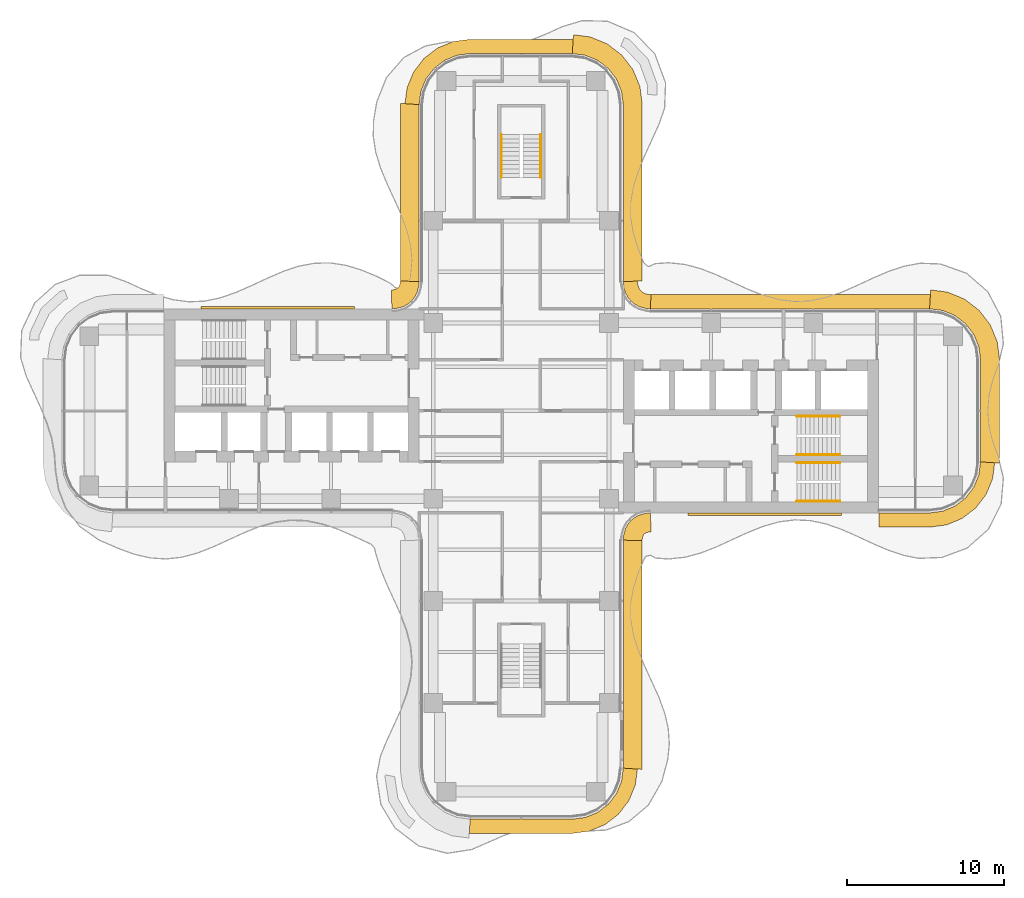
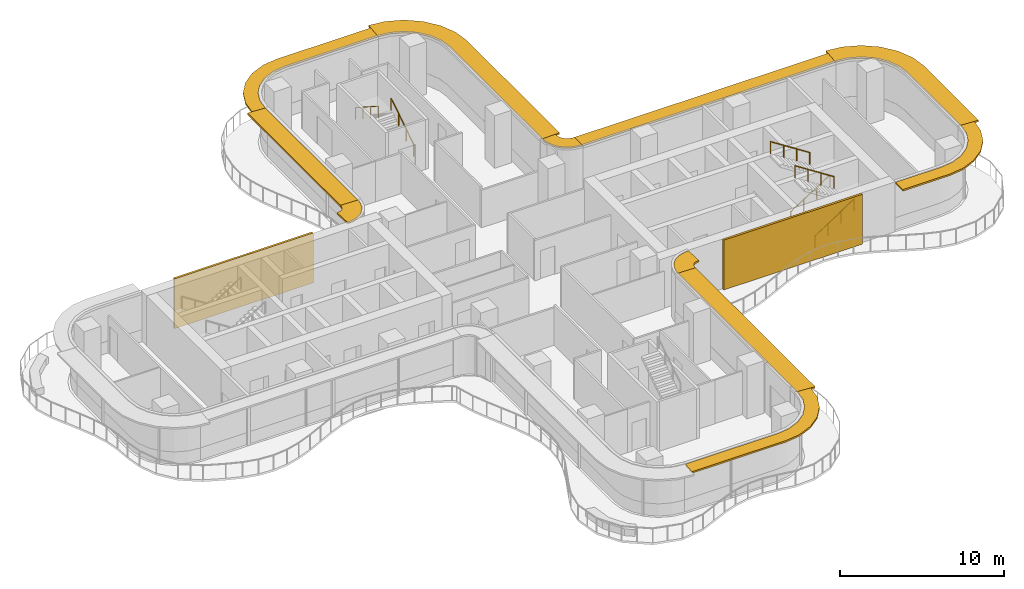
# One storey, part 18 of 18: 11 shading devices, 6 railings, 2 coverings.
"""IFC4 building model written with IfcOpenShell, lengths in metres."""

from ifc_helpers import new_model, si_unit, direction, frame, origin, origin_2d, place, context, subcontext, project, spatial, polyline, circle, outline, extrude, source, transform, mapped, material, layer, layer_set, type_object, element, save


model = new_model("IFC4")

# Units and contexts
model_context = context("Model", 3, precision=1e-05, world=origin(), true_north=direction((0.0, 1.0)))
body_context = subcontext(model_context, "Body", "Model", "MODEL_VIEW")
ifc_project = project(units=[si_unit("LENGTHUNIT", "METRE"), si_unit("AREAUNIT", "SQUARE_METRE"), si_unit("VOLUMEUNIT", "CUBIC_METRE"), si_unit("PLANEANGLEUNIT", "RADIAN"), si_unit("MASSUNIT", "GRAM", prefix="KILO")], contexts=[model_context])

# Site, building, storey
site_placement = place(None, origin())
site = spatial("IfcSite", under=ifc_project, at=site_placement, CompositionType="ELEMENT")
building_placement = place(site_placement, origin())
building = spatial("IfcBuilding", under=site, at=building_placement, Name="Trellis Farm Tower", CompositionType="ELEMENT")
storey_placement = place(building_placement, frame((0.0, 0.0, 201.0)))
storey = spatial("IfcBuildingStorey", under=building, at=storey_placement, Name="L44", CompositionType="ELEMENT", Elevation=201.0)

# Railings
ifc_material_1 = material(Name="Stainless steel", Category="steel")
railing_type = type_object("IfcRailingType", Name="STAIR HANDRAIL 900", PredefinedType="HANDRAIL", material=ifc_material_1)
shared_shape_1 = source(origin(), body_context, "Body", "SweptSolid", [
    extrude(circle(Radius=0.02392578125, at=origin_2d()), frame((0.0, 0.0, 0.8759765625), z_axis=(0.0, 0.840503830235, 0.541805602924), x_axis=(-1.0, 0.0, 0.0)), (0.0, 0.0, 1.0), 3.271728515625),
    extrude(circle(Radius=0.02099609375, at=origin_2d()), origin(), (0.0, 0.0, 1.0), 0.851806640625),
    extrude(circle(Radius=0.02099609375, at=origin_2d()), frame((0.0, 0.916748046875, 0.5908203125)), (0.0, 0.0, 1.0), 0.851806640625),
    extrude(circle(Radius=0.02099609375, at=origin_2d()), frame((0.0, 1.833251953125, 1.181884765625)), (0.0, 0.0, 1.0), 0.851806640625),
    extrude(circle(Radius=0.02099609375, at=origin_2d()), frame((0.0, 2.75, 1.772705078125)), (0.0, 0.0, 1.0), 0.851806640625),
])
railing_1_placement = place(storey_placement, frame((1.25, 14.85009765625, 0.17724609375)))
element("IfcRailing", 1, at=railing_1_placement, inside=storey, type_object=railing_type, Name="Stair handrail", PredefinedType="HANDRAIL", context=body_context, shape_type="MappedRepresentation", body=[
    mapped(shared_shape_1, transform((0.0, 0.0, 0.0))),
])
shared_shape_2 = source(origin(), body_context, "Body", "SweptSolid", [
    extrude(circle(Radius=0.02392578125, at=origin_2d()), frame((0.0, 0.0, 0.8759765625), z_axis=(0.0, -0.840503830235, 0.541805602924), x_axis=(1.0, 0.0, 0.0)), (0.0, 0.0, 1.0), 3.271728515625),
    extrude(circle(Radius=0.02099609375, at=origin_2d()), origin(), (0.0, 0.0, 1.0), 0.851806640625),
    extrude(circle(Radius=0.02099609375, at=origin_2d()), frame((0.0, -0.916748046875, 0.5908203125)), (0.0, 0.0, 1.0), 0.851806640625),
    extrude(circle(Radius=0.02099609375, at=origin_2d()), frame((0.0, -1.833251953125, 1.181884765625)), (0.0, 0.0, 1.0), 0.851806640625),
    extrude(circle(Radius=0.02099609375, at=origin_2d()), frame((0.0, -2.75, 1.772705078125)), (0.0, 0.0, 1.0), 0.851806640625),
])
railing_2_placement = place(storey_placement, frame((-1.25, 17.60009765625, 2.127197265625)))
element("IfcRailing", 2, at=railing_2_placement, inside=storey, type_object=railing_type, Name="Stair handrail", PredefinedType="HANDRAIL", context=body_context, shape_type="MappedRepresentation", body=[
    mapped(shared_shape_2, transform((0.0, 0.0, 0.0))),
])
shared_shape_3 = source(origin(), body_context, "Body", "SweptSolid", [
    extrude(circle(Radius=0.02392578125, at=origin_2d()), frame((0.0, 0.0, 0.8759765625), z_axis=(0.840503830235, 0.0, 0.541805602924), x_axis=(0.0, 1.0, 0.0)), (0.0, 0.0, 1.0), 3.271728515625),
    extrude(circle(Radius=0.02099609375, at=origin_2d()), origin(), (0.0, 0.0, 1.0), 0.851806640625),
    extrude(circle(Radius=0.02099609375, at=origin_2d()), frame((0.916748046875, 0.0, 0.5908203125)), (0.0, 0.0, 1.0), 0.851806640625),
    extrude(circle(Radius=0.02099609375, at=origin_2d()), frame((1.833251953125, 0.0, 1.181884765625)), (0.0, 0.0, 1.0), 0.851806640625),
    extrude(circle(Radius=0.02099609375, at=origin_2d()), frame((2.75, 0.0, 1.772705078125)), (0.0, 0.0, 1.0), 0.851806640625),
])
for number, where, name in (
    (3, (17.550048828125, -5.75, 0.17724609375), "Stair handrail"),
    (4, (17.550048828125, -2.800048828125, 0.17724609375), "Stair handrail"),
):
    element("IfcRailing", number, at=place(storey_placement, frame(where)), inside=storey, type_object=railing_type, Name=name, PredefinedType="HANDRAIL", context=body_context, shape_type="MappedRepresentation", body=[
        mapped(shared_shape_3, transform((0.0, 0.0, 0.0))),
    ])
shared_shape_4 = source(origin(), body_context, "Body", "SweptSolid", [
    extrude(circle(Radius=0.02392578125, at=origin_2d()), frame((0.0, 0.0, 0.8759765625), z_axis=(-0.840503830235, 0.0, 0.541805602924), x_axis=(0.0, -1.0, 0.0)), (0.0, 0.0, 1.0), 3.271728515625),
    extrude(circle(Radius=0.02099609375, at=origin_2d()), origin(), (0.0, 0.0, 1.0), 0.851806640625),
    extrude(circle(Radius=0.02099609375, at=origin_2d()), frame((-0.916748046875, 0.0, 0.5908203125)), (0.0, 0.0, 1.0), 0.851806640625),
    extrude(circle(Radius=0.02099609375, at=origin_2d()), frame((-1.833251953125, 0.0, 1.181884765625)), (0.0, 0.0, 1.0), 0.851806640625),
    extrude(circle(Radius=0.02099609375, at=origin_2d()), frame((-2.75, 0.0, 1.772705078125)), (0.0, 0.0, 1.0), 0.851806640625),
])
for number, where, name in (
    (5, (20.300048828125, -3.300048828125, 2.127197265625), "Stair handrail"),
    (6, (20.300048828125, -0.35009765625, 2.127197265625), "Stair handrail"),
):
    element("IfcRailing", number, at=place(storey_placement, frame(where)), inside=storey, type_object=railing_type, Name=name, PredefinedType="HANDRAIL", context=body_context, shape_type="MappedRepresentation", body=[
        mapped(shared_shape_4, transform((0.0, 0.0, 0.0))),
    ])

# Shading devices
ifc_material_2 = material(Name="Aluminium extrusion 6063-T6", Category="aluminium")
ifc_layer_1 = layer(ifc_material_2, 0.1201171875)
ifc_layer_set_1 = layer_set([ifc_layer_1], Name="SUNSHADE BLADE 1200")
shading_device_type_1 = type_object("IfcShadingDeviceType", Name="SUNSHADE BLADE 1200", PredefinedType="USERDEFINED", material=ifc_layer_set_1)
shared_shape_5 = source(origin(), body_context, "Body", "SweptSolid", [
    extrude(outline(polyline([(7.699951171875, -8.270751953125), (7.708740234375, -8.13720703125), (7.70703125, -8.150146484375), (7.7548828125, -7.9716796875), (7.80712890625, -7.881103515625), (7.881103515625, -7.80712890625), (7.9716796875, -7.7548828125), (8.150146484375, -7.70703125), (8.13720703125, -7.708740234375), (8.270751953125, -7.699951171875), (8.2314453125, -6.5), (8.01953125, -6.513916015625), (7.91552734375, -6.527587890625), (7.508544921875, -6.63671875), (7.144287109375, -6.846923828125), (6.846923828125, -7.144287109375), (6.63671875, -7.508544921875), (6.527587890625, -7.91552734375), (6.513916015625, -8.01953125), (6.5, -8.2314453125), (7.699951171875, -8.270751953125)])), origin(), (0.0, 0.0, 1.0), 0.119873046875),
])
placement_1 = place(storey_placement, frame((0.0, 0.0, 3.5400390625)))
element("IfcShadingDevice", 7, at=placement_1, inside=storey, type_object=shading_device_type_1, Name="SD2 006", ObjectType="SUNSHADE", PredefinedType="USERDEFINED", context=body_context, shape_type="MappedRepresentation", body=[
    mapped(shared_shape_5, transform((0.0, 0.0, 0.0))),
])
ifc_layer_2 = layer(ifc_material_2, 0.1201171875)
ifc_layer_set_2 = layer_set([ifc_layer_2], Name="SUNSHADE BLADE 900")
shading_device_type_2 = type_object("IfcShadingDeviceType", Name="SUNSHADE BLADE 900", PredefinedType="USERDEFINED", material=ifc_layer_set_2)
shared_shape_6 = source(origin(), body_context, "Body", "SweptSolid", [
    extrude(outline(polyline([(8.2607421875, 7.39990234375), (8.107666015625, 7.409912109375), (8.091552734375, 7.412109375), (7.85595703125, 7.475341796875), (7.697021484375, 7.567138671875), (7.567138671875, 7.697021484375), (7.475341796875, 7.85595703125), (7.412109375, 8.091552734375), (7.409912109375, 8.107666015625), (7.39990234375, 8.2607421875), (6.5, 8.2314453125), (6.513916015625, 8.01953125), (6.527587890625, 7.91552734375), (6.63671875, 7.508544921875), (6.846923828125, 7.144287109375), (7.144287109375, 6.846923828125), (7.508544921875, 6.63671875), (7.91552734375, 6.527587890625), (8.01953125, 6.513916015625), (8.2314453125, 6.5), (8.2607421875, 7.39990234375)])), origin(), (0.0, 0.0, 1.0), 0.119873046875),
])
element("IfcShadingDevice", 8, at=placement_1, inside=storey, type_object=shading_device_type_2, Name="SD1 010", ObjectType="SUNSHADE", PredefinedType="USERDEFINED", context=body_context, shape_type="MappedRepresentation", body=[
    mapped(shared_shape_6, transform((0.0, 0.0, 0.0))),
])
shared_shape_7 = source(origin(), body_context, "Body", "SweptSolid", [
    extrude(outline(polyline([(-7.699951171875, 8.270751953125), (-7.708740234375, 8.13720703125), (-7.70703125, 8.150146484375), (-7.7548828125, 7.9716796875), (-7.80712890625, 7.881103515625), (-7.881103515625, 7.80712890625), (-7.9716796875, 7.7548828125), (-8.150146484375, 7.70703125), (-8.13720703125, 7.708740234375), (-8.270751953125, 7.699951171875), (-8.2314453125, 6.5), (-8.01953125, 6.513916015625), (-7.91552734375, 6.527587890625), (-7.508544921875, 6.63671875), (-7.144287109375, 6.846923828125), (-6.846923828125, 7.144287109375), (-6.63671875, 7.508544921875), (-6.527587890625, 7.91552734375), (-6.513916015625, 8.01953125), (-6.5, 8.2314453125), (-7.699951171875, 8.270751953125)])), origin(), (0.0, 0.0, 1.0), 0.119873046875),
])
element("IfcShadingDevice", 9, at=placement_1, inside=storey, type_object=shading_device_type_1, Name="SD2 014", ObjectType="SUNSHADE", PredefinedType="USERDEFINED", context=body_context, shape_type="MappedRepresentation", body=[
    mapped(shared_shape_7, transform((0.0, 0.0, 0.0))),
])
shared_shape_8 = source(origin(), body_context, "Body", "SweptSolid", [
    extrude(outline(polyline([(22.780029296875, -7.39990234375), (26.05908203125, -7.39990234375), (27.076171875, -7.26611328125), (28.078857421875, -6.850830078125), (28.93994140625, -6.18994140625), (29.600830078125, -5.328857421875), (30.01611328125, -4.326171875), (30.14990234375, -3.30908203125), (29.25, -3.25), (29.13916015625, -4.091064453125), (28.814697265625, -4.875), (28.298095703125, -5.548095703125), (27.625, -6.064697265625), (26.841064453125, -6.38916015625), (26.0, -6.5), (22.780029296875, -6.5), (22.780029296875, -7.39990234375)])), origin(), (0.0, 0.0, 1.0), 0.119873046875),
])
element("IfcShadingDevice", 10, at=placement_1, inside=storey, type_object=shading_device_type_2, Name="SD1 007", ObjectType="SUNSHADE", PredefinedType="USERDEFINED", context=body_context, shape_type="MappedRepresentation", body=[
    mapped(shared_shape_8, transform((0.0, 0.0, 0.0))),
])
shared_shape_9 = source(origin(), body_context, "Body", "SweptSolid", [
    extrude(outline(polyline([(30.449951171875, -3.32861328125), (30.449951171875, 3.32861328125), (30.308349609375, 4.404541015625), (29.86279296875, 5.480224609375), (29.154052734375, 6.404052734375), (28.230224609375, 7.11279296875), (27.154541015625, 7.558349609375), (26.07861328125, 7.699951171875), (26.0, 6.5), (26.841064453125, 6.38916015625), (27.625, 6.064697265625), (28.298095703125, 5.548095703125), (28.814697265625, 4.875), (29.13916015625, 4.091064453125), (29.25, 3.25), (29.25, -3.25), (30.449951171875, -3.32861328125)])), origin(), (0.0, 0.0, 1.0), 0.119873046875),
])
element("IfcShadingDevice", 11, at=placement_1, inside=storey, type_object=shading_device_type_1, Name="SD2 008", ObjectType="SUNSHADE", PredefinedType="USERDEFINED", context=body_context, shape_type="MappedRepresentation", body=[
    mapped(shared_shape_9, transform((0.0, 0.0, 0.0))),
])
shared_shape_10 = source(origin(), body_context, "Body", "SweptSolid", [
    extrude(outline(polyline([(26.05908203125, 7.39990234375), (8.2607421875, 7.39990234375), (8.2314453125, 6.5), (26.0, 6.5), (26.05908203125, 7.39990234375)])), origin(), (0.0, 0.0, 1.0), 0.119873046875),
])
element("IfcShadingDevice", 12, at=placement_1, inside=storey, type_object=shading_device_type_2, Name="SD1 009", ObjectType="SUNSHADE", PredefinedType="USERDEFINED", context=body_context, shape_type="MappedRepresentation", body=[
    mapped(shared_shape_10, transform((0.0, 0.0, 0.0))),
])
shared_shape_11 = source(origin(), body_context, "Body", "SweptSolid", [
    extrude(outline(polyline([(-3.30908203125, -26.89990234375), (3.30908203125, -26.89990234375), (4.326171875, -26.76611328125), (5.328857421875, -26.350830078125), (6.18994140625, -25.68994140625), (6.850830078125, -24.828857421875), (7.26611328125, -23.826171875), (7.39990234375, -22.80908203125), (6.5, -22.75), (6.38916015625, -23.591064453125), (6.064697265625, -24.375), (5.548095703125, -25.048095703125), (4.875, -25.564697265625), (4.091064453125, -25.88916015625), (3.25, -26.0), (-3.25, -26.0), (-3.30908203125, -26.89990234375)])), origin(), (0.0, 0.0, 1.0), 0.119873046875),
])
element("IfcShadingDevice", 13, at=placement_1, inside=storey, type_object=shading_device_type_2, Name="SD1 004", ObjectType="SUNSHADE", PredefinedType="USERDEFINED", context=body_context, shape_type="MappedRepresentation", body=[
    mapped(shared_shape_11, transform((0.0, 0.0, 0.0))),
])
shared_shape_12 = source(origin(), body_context, "Body", "SweptSolid", [
    extrude(outline(polyline([(7.699951171875, -22.82861328125), (7.699951171875, -8.270751953125), (6.5, -8.2314453125), (6.5, -22.75), (7.699951171875, -22.82861328125)])), origin(), (0.0, 0.0, 1.0), 0.119873046875),
])
element("IfcShadingDevice", 14, at=placement_1, inside=storey, type_object=shading_device_type_1, Name="SD2 005", ObjectType="SUNSHADE", PredefinedType="USERDEFINED", context=body_context, shape_type="MappedRepresentation", body=[
    mapped(shared_shape_12, transform((0.0, 0.0, 0.0))),
])

# Coverings
ifc_material_3 = material(Name="Perforated precast screen (cobogo)", Category="concrete")
ifc_layer_3 = layer(ifc_material_3, 0.14990234375)
ifc_layer_set_3 = layer_set([ifc_layer_3], Name="COBOGO SCREEN PANEL")
covering_type = type_object("IfcCoveringType", Name="COBOGO SCREEN PANEL", PredefinedType="USERDEFINED", material=ifc_layer_set_3)
shared_shape_13 = source(origin(), body_context, "Body", "SweptSolid", [
    extrude(outline(polyline([(10.630615234375, -6.64990234375), (20.380615234375, -6.64990234375), (20.380615234375, -6.5), (10.630615234375, -6.5), (10.630615234375, -6.64990234375)])), origin(), (0.0, 0.0, 1.0), 3.699951171875),
])
placement_2 = place(storey_placement, origin())
element("IfcCovering", 15, at=placement_2, inside=storey, type_object=covering_type, Name="SC1 01", ObjectType="SCREEN", PredefinedType="USERDEFINED", context=body_context, shape_type="MappedRepresentation", body=[
    mapped(shared_shape_13, transform((0.0, 0.0, 0.0))),
])
shared_shape_14 = source(origin(), body_context, "Body", "SweptSolid", [
    extrude(outline(polyline([(-10.630615234375, 6.64990234375), (-20.380615234375, 6.64990234375), (-20.380615234375, 6.5), (-10.630615234375, 6.5), (-10.630615234375, 6.64990234375)])), origin(), (0.0, 0.0, 1.0), 3.699951171875),
])
element("IfcCovering", 16, at=placement_2, inside=storey, type_object=covering_type, Name="SC1 02", ObjectType="SCREEN", PredefinedType="USERDEFINED", context=body_context, shape_type="MappedRepresentation", body=[
    mapped(shared_shape_14, transform((0.0, 0.0, 0.0))),
])

# Shading devices
shared_shape_15 = source(origin(), body_context, "Body", "SweptSolid", [
    extrude(outline(polyline([(7.699951171875, 8.270751953125), (7.699951171875, 19.57861328125), (7.558349609375, 20.654541015625), (7.11279296875, 21.730224609375), (6.404052734375, 22.654052734375), (5.480224609375, 23.36279296875), (4.404541015625, 23.808349609375), (3.32861328125, 23.949951171875), (3.25, 22.75), (4.091064453125, 22.63916015625), (4.875, 22.314697265625), (5.548095703125, 21.798095703125), (6.064697265625, 21.125), (6.38916015625, 20.341064453125), (6.5, 19.5), (6.5, 8.2314453125), (7.699951171875, 8.270751953125)])), origin(), (0.0, 0.0, 1.0), 0.119873046875),
])
element("IfcShadingDevice", 17, at=placement_1, inside=storey, type_object=shading_device_type_1, Name="SD2 011", ObjectType="SUNSHADE", PredefinedType="USERDEFINED", context=body_context, shape_type="MappedRepresentation", body=[
    mapped(shared_shape_15, transform((0.0, 0.0, 0.0))),
])
shared_shape_16 = source(origin(), body_context, "Body", "SweptSolid", [
    extrude(outline(polyline([(3.30908203125, 23.64990234375), (-3.30908203125, 23.64990234375), (-4.326171875, 23.51611328125), (-5.328857421875, 23.100830078125), (-6.18994140625, 22.43994140625), (-6.850830078125, 21.578857421875), (-7.26611328125, 20.576171875), (-7.39990234375, 19.55908203125), (-6.5, 19.5), (-6.38916015625, 20.341064453125), (-6.064697265625, 21.125), (-5.548095703125, 21.798095703125), (-4.875, 22.314697265625), (-4.091064453125, 22.63916015625), (-3.25, 22.75), (3.25, 22.75), (3.30908203125, 23.64990234375)])), origin(), (0.0, 0.0, 1.0), 0.119873046875),
])
element("IfcShadingDevice", 18, at=placement_1, inside=storey, type_object=shading_device_type_2, Name="SD1 012", ObjectType="SUNSHADE", PredefinedType="USERDEFINED", context=body_context, shape_type="MappedRepresentation", body=[
    mapped(shared_shape_16, transform((0.0, 0.0, 0.0))),
])
shared_shape_17 = source(origin(), body_context, "Body", "SweptSolid", [
    extrude(outline(polyline([(-7.699951171875, 19.57861328125), (-7.699951171875, 8.270751953125), (-6.5, 8.2314453125), (-6.5, 19.5), (-7.699951171875, 19.57861328125)])), origin(), (0.0, 0.0, 1.0), 0.119873046875),
])
element("IfcShadingDevice", 19, at=placement_1, inside=storey, type_object=shading_device_type_1, Name="SD2 013", ObjectType="SUNSHADE", PredefinedType="USERDEFINED", context=body_context, shape_type="MappedRepresentation", body=[
    mapped(shared_shape_17, transform((0.0, 0.0, 0.0))),
])

save(model, "model.ifc")
